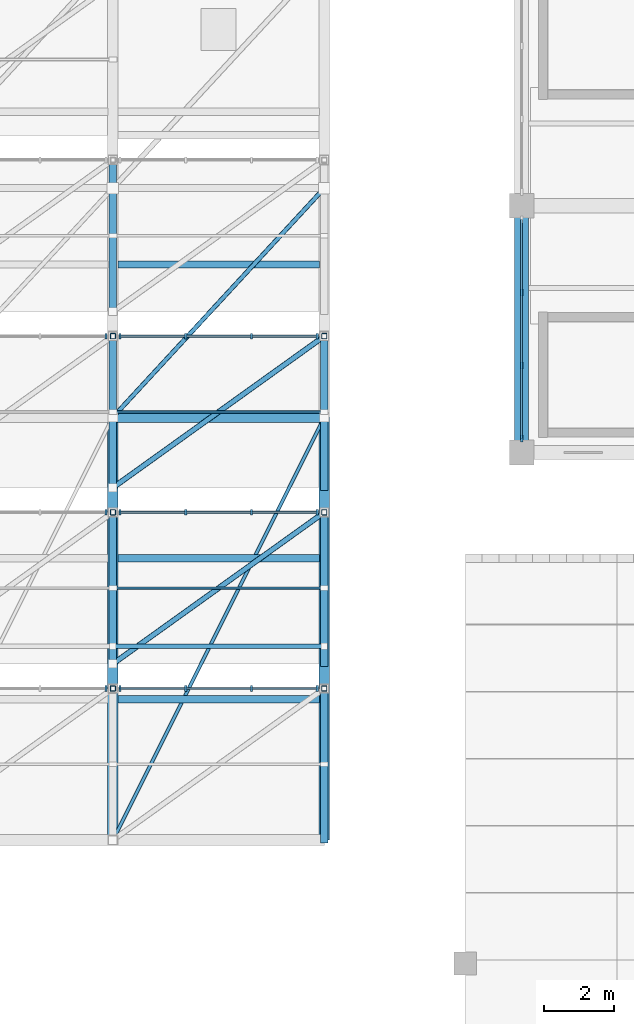
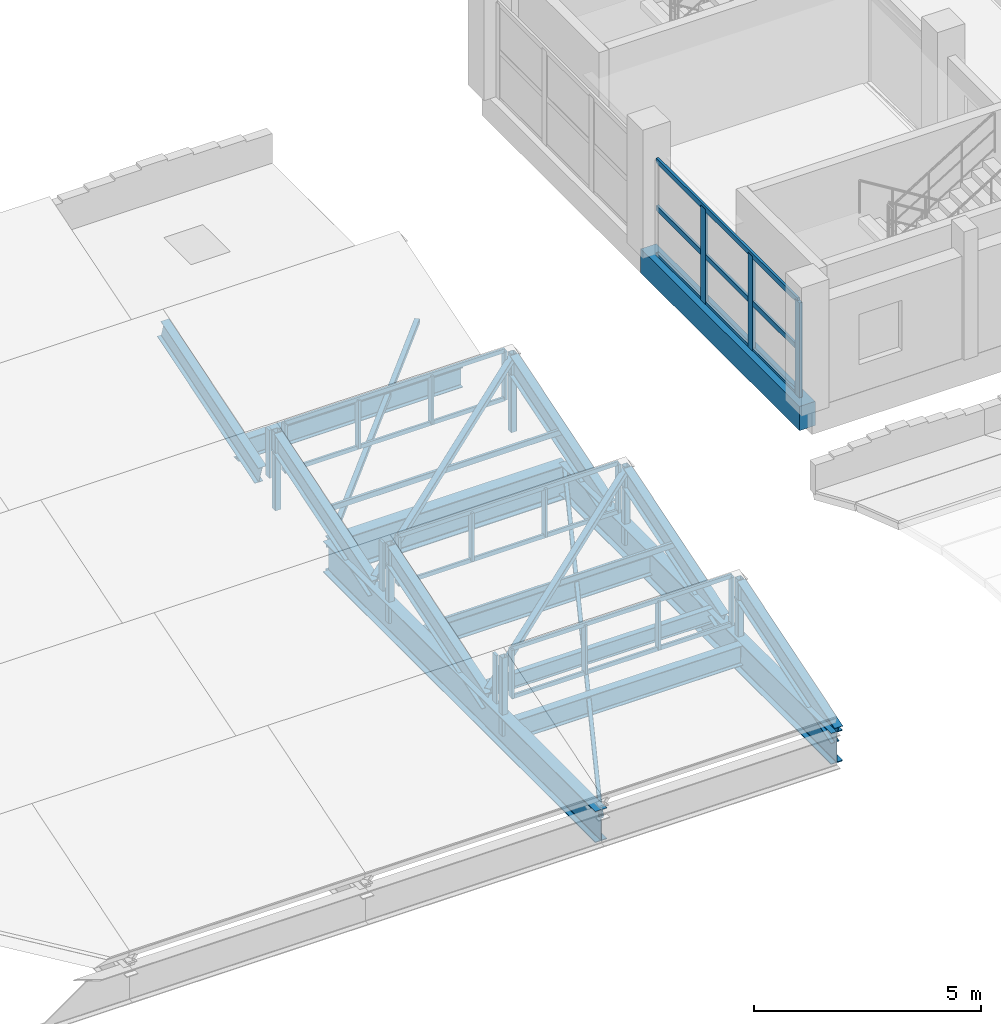
# One storey, part 19 of 48: 40 members, 13 beams, 7 elements without a shape of their own.
"""IFC4 building model written with IfcOpenShell, lengths in metres."""

from ifc_helpers import new_model, si_unit, direction, frame, origin, origin_2d, place, context, subcontext, project, spatial, rectangle, hollow_rectangle, i_section, extrude, material, layer, layer_set, material_profile, profile_set, type_object, element, aggregate, save


model = new_model("IFC4")

# Units and contexts
model_context = context("Model", 3, precision=1e-05, world=origin(), true_north=direction((0.0, 1.0)))
body_context = subcontext(model_context, "Body", "Model", "MODEL_VIEW")
ifc_project = project(units=[si_unit("LENGTHUNIT", "METRE"), si_unit("AREAUNIT", "SQUARE_METRE"), si_unit("VOLUMEUNIT", "CUBIC_METRE"), si_unit("PLANEANGLEUNIT", "RADIAN"), si_unit("MASSUNIT", "GRAM", prefix="KILO")], contexts=[model_context])

# Site, building, storey
site_placement = place(None, origin())
site = spatial("IfcSite", under=ifc_project, at=site_placement, CompositionType="ELEMENT")
building_placement = place(site_placement, origin())
building = spatial("IfcBuilding", under=site, at=building_placement, Name="Trellovar Central Fire Station", CompositionType="ELEMENT")
storey_placement = place(building_placement, frame((0.0, 0.0, 9.300048828125)))
storey = spatial("IfcBuildingStorey", under=building, at=storey_placement, Name="L03", CompositionType="ELEMENT", Elevation=9.300048828125)

# Beams
ifc_material_1 = material(Name="Concrete C40/50", Category="concrete")
ifc_material_profile_1 = material_profile(ifc_material_1, rectangle(XDim=0.39990234375, YDim=0.64990234375, at=origin_2d()), Name="RC400X650")
ifc_profile_set_1 = profile_set([ifc_material_profile_1], Name="Concrete C40/50")
beam_type_1 = type_object("IfcBeamType", Name="BM-G4", PredefinedType="BEAM", material=ifc_profile_set_1)
beam_1_placement = place(storey_placement, frame((141.10009765625, 59.0, -0.324951171875), z_axis=(0.0, 1.0, 0.0), x_axis=(-1.0, 0.0, 0.0)))
element("IfcBeam", 1, at=beam_1_placement, inside=storey, type_object=beam_type_1, Name="L03 beam G-4", PredefinedType="BEAM", context=body_context, shape_type="SweptSolid", body=[
    extrude(rectangle(XDim=0.39990234375, YDim=0.64990234375, at=origin_2d()), origin(), (0.0, 0.0, 1.0), 7.0),
])
ifc_material_2 = material(Name="Steel ASTM A992 Grade 50", Category="steel")
ifc_material_profile_2 = material_profile(ifc_material_2, i_section(OverallWidth=0.3046875, OverallDepth=0.911865234375, WebThickness=0.015869140625, FlangeThickness=0.02392578125, FilletRadius=0.024169921875, at=origin_2d()), Name="W36X150")
ifc_profile_set_2 = profile_set([ifc_material_profile_2], Name="Steel ASTM A992 Grade 50")
beam_type_2 = type_object("IfcBeamType", Name="BM-SW1", PredefinedType="BEAM", material=ifc_profile_set_2)
beam_2_placement = place(storey_placement, frame((129.5, 60.0, -0.635986328125), z_axis=(1.0, 0.0, 0.0), x_axis=(0.0, 1.0, 0.0)))
element("IfcBeam", 2, at=beam_2_placement, inside=storey, type_object=beam_type_2, Name="L03 beam SB-1", PredefinedType="BEAM", context=body_context, shape_type="SweptSolid", body=[
    extrude(i_section(OverallWidth=0.3046875, OverallDepth=0.911865234375, WebThickness=0.015869140625, FlangeThickness=0.02392578125, FilletRadius=0.024169921875, at=origin_2d()), origin(), (0.0, 0.0, 1.0), 6.0),
])
ifc_material_3 = material(Name="Steel ASTM A992 Grade 50", Category="steel")
ifc_material_profile_3 = material_profile(ifc_material_3, i_section(OverallWidth=0.2919921875, OverallDepth=0.8408203125, WebThickness=0.0146484375, FlangeThickness=0.021728515625, FilletRadius=0.020263671875, at=origin_2d()), Name="W33X130")
ifc_profile_set_3 = profile_set([ifc_material_profile_3], Name="Steel ASTM A992 Grade 50")
beam_type_3 = type_object("IfcBeamType", Name="BM-SW2", PredefinedType="BEAM", material=ifc_profile_set_3)
for number, where, z_axis, x_axis, name in (
    (3, (129.5, 48.0, -0.600341796875), (0.0, 1.0, 0.0), (-1.0, 0.0, 0.0), "L03 beam SB-2"),
    (4, (135.5, 48.0, -0.600341796875), (0.0, 1.0, 0.0), (-1.0, 0.0, 0.0), "L03 beam SB-2"),
):
    element("IfcBeam", number, at=place(storey_placement, frame(where, z_axis=z_axis, x_axis=x_axis)), inside=storey, type_object=beam_type_3, Name=name, PredefinedType="BEAM", context=body_context, shape_type="SweptSolid", body=[
        extrude(i_section(OverallWidth=0.2919921875, OverallDepth=0.8408203125, WebThickness=0.0146484375, FlangeThickness=0.021728515625, FilletRadius=0.020263671875, at=origin_2d()), origin(), (0.0, 0.0, 1.0), 12.0),
    ])
ifc_material_4 = material(Name="Steel ASTM A992 Grade 50", Category="steel")
ifc_material_profile_4 = material_profile(ifc_material_4, i_section(OverallWidth=0.209228515625, OverallDepth=0.533447265625, WebThickness=0.01025390625, FlangeThickness=0.015625, FilletRadius=0.013916015625, at=origin_2d()), Name="W21X62")
ifc_profile_set_4 = profile_set([ifc_material_profile_4], Name="Steel ASTM A992 Grade 50")
beam_type_4 = type_object("IfcBeamType", Name="BM-SW7", PredefinedType="BEAM", material=ifc_profile_set_4)
for number, where, z_axis, x_axis, name in (
    (5, (129.64111328125, 52.0, -0.44677734375), (1.0, 0.0, 0.0), (0.0, 1.0, 0.0), "L03 beam SB-7"),
    (6, (129.64111328125, 56.0, -0.44677734375), (1.0, 0.0, 0.0), (0.0, 1.0, 0.0), "L03 beam SB-7"),
    (7, (129.64111328125, 64.333251953125, -0.44677734375), (1.0, 0.0, 0.0), (0.0, 1.0, 0.0), "L03 beam SB-7"),
):
    element("IfcBeam", number, at=place(storey_placement, frame(where, z_axis=z_axis, x_axis=x_axis)), inside=storey, type_object=beam_type_4, Name=name, PredefinedType="BEAM", context=body_context, shape_type="SweptSolid", body=[
        extrude(i_section(OverallWidth=0.209228515625, OverallDepth=0.533447265625, WebThickness=0.01025390625, FlangeThickness=0.015625, FilletRadius=0.013916015625, at=origin_2d()), origin(), (0.0, 0.0, 1.0), 5.7177734375),
    ])
for number, where, z_axis, x_axis, name in (
    (8, (135.5, 48.0, -0.266845703125), (0.0, 0.954079117135, 0.299554733308), (-1.0, 0.0, 0.0), "Sawtooth steel rafter"),
    (9, (129.5, 53.0, -0.266845703125), (0.0, 0.954079117135, 0.299554733308), (-1.0, 0.0, 0.0), "Sawtooth steel rafter"),
    (10, (135.5, 53.0, -0.266845703125), (0.0, 0.954079117135, 0.299554733308), (-1.0, 0.0, 0.0), "Sawtooth steel rafter"),
    (11, (129.5, 58.0, -0.266845703125), (0.0, 0.954079117135, 0.299554733308), (-1.0, 0.0, 0.0), "Sawtooth steel rafter"),
    (12, (135.5, 58.0, -0.266845703125), (0.0, 0.954079117135, 0.299554733308), (-1.0, 0.0, 0.0), "Sawtooth steel rafter"),
    (13, (129.5, 63.0, -0.266845703125), (0.0, 0.954079117135, 0.299554733308), (-1.0, 0.0, 0.0), "Sawtooth steel rafter"),
):
    element("IfcBeam", number, at=place(storey_placement, frame(where, z_axis=z_axis, x_axis=x_axis)), inside=storey, type_object=beam_type_4, Name=name, PredefinedType="BEAM", context=body_context, shape_type="SweptSolid", body=[
        extrude(i_section(OverallWidth=0.209228515625, OverallDepth=0.533447265625, WebThickness=0.01025390625, FlangeThickness=0.015625, FilletRadius=0.013916015625, at=origin_2d()), origin(), (0.0, 0.0, 1.0), 4.507080078125),
    ])

# Curtain wall, members
ifc_material_5 = material(Name="Thermally broken bronze anodized aluminum", Category="aluminium")
ifc_layer_1 = layer(ifc_material_5, 0.159912109375)
ifc_layer_set_1 = layer_set([ifc_layer_1], Name="Thermally broken bronze anodized aluminum")
curtain_wall_type_1 = type_object("IfcCurtainWallType", Name="CW-07", PredefinedType="NOTDEFINED", material=ifc_layer_set_1)
curtain_wall_1_placement = place(storey_placement, origin())
curtain_wall_1 = element("IfcCurtainWall", 14, at=curtain_wall_1_placement, inside=storey, type_object=curtain_wall_type_1, Name="V2 L03 west drill yard curtain wall", PredefinedType="NOTDEFINED")
ifc_material_6 = material(Name="Thermally broken bronze anodized aluminum", Category="aluminium")
ifc_material_profile_5 = material_profile(ifc_material_6, rectangle(XDim=0.074951171875, YDim=0.199951171875, at=origin_2d()), Name="ALU75X200")
ifc_profile_set_5 = profile_set([ifc_material_profile_5], Name="Thermally broken bronze anodized aluminum")
member_type_1 = type_object("IfcMemberType", Name="CWM-1", PredefinedType="MULLION", material=ifc_profile_set_5)
member_1_placement = place(storey_placement, frame((141.10009765625, 59.389892578125, 0.0), z_axis=(0.0, 0.0, 1.0), x_axis=(1.0, 0.0, 0.0)))
member_1 = element("IfcMember", 15, at=member_1_placement, type_object=member_type_1, Name="CW3-L03-0160 mullion 1", PredefinedType="MULLION", context=body_context, shape_type="SweptSolid", body=[
    extrude(rectangle(XDim=0.074951171875, YDim=0.199951171875, at=origin_2d()), origin(), (0.0, 0.0, 1.0), 2.550048828125),
])
member_2_placement = place(storey_placement, frame((141.10009765625, 61.46337890625, 0.0), z_axis=(0.0, 0.0, 1.0), x_axis=(1.0, 0.0, 0.0)))
member_2 = element("IfcMember", 16, at=member_2_placement, type_object=member_type_1, Name="CW3-L03-0160 mullion 2", PredefinedType="MULLION", context=body_context, shape_type="SweptSolid", body=[
    extrude(rectangle(XDim=0.074951171875, YDim=0.199951171875, at=origin_2d()), origin(), (0.0, 0.0, 1.0), 2.550048828125),
])
member_3_placement = place(storey_placement, frame((141.10009765625, 63.53662109375, 0.0), z_axis=(0.0, 0.0, 1.0), x_axis=(1.0, 0.0, 0.0)))
member_3 = element("IfcMember", 17, at=member_3_placement, type_object=member_type_1, Name="CW3-L03-0160 mullion 3", PredefinedType="MULLION", context=body_context, shape_type="SweptSolid", body=[
    extrude(rectangle(XDim=0.074951171875, YDim=0.199951171875, at=origin_2d()), origin(), (0.0, 0.0, 1.0), 2.550048828125),
])

# Curtain wall, member
ifc_material_7 = material(Name="Thermally broken bronze anodized aluminum", Category="aluminium")
ifc_layer_2 = layer(ifc_material_7, 0.159912109375)
ifc_layer_set_2 = layer_set([ifc_layer_2], Name="Thermally broken bronze anodized aluminum")
curtain_wall_type_2 = type_object("IfcCurtainWallType", Name="CW-06", PredefinedType="NOTDEFINED", material=ifc_layer_set_2)
curtain_wall_2_placement = place(storey_placement, origin())
curtain_wall_2 = element("IfcCurtainWall", 18, at=curtain_wall_2_placement, inside=storey, type_object=curtain_wall_type_2, Name="V6 sawtooth north-light monitor 1-4", PredefinedType="NOTDEFINED")
ifc_material_8 = material(Name="Thermally broken bronze anodized aluminum", Category="aluminium")
ifc_material_profile_6 = material_profile(ifc_material_8, rectangle(XDim=0.06005859375, YDim=0.159912109375, at=origin_2d()), Name="ALU60X160")
ifc_profile_set_6 = profile_set([ifc_material_profile_6], Name="Thermally broken bronze anodized aluminum")
member_type_2 = type_object("IfcMemberType", Name="CWM-3", PredefinedType="MULLION", material=ifc_profile_set_6)
member_4_placement = place(storey_placement, frame((129.300048828125, 52.300048828125, 0.179931640625), z_axis=(0.0, 0.0, 1.0), x_axis=(1.0, 0.0, 0.0)))
member_4 = element("IfcMember", 19, at=member_4_placement, type_object=member_type_2, Name="CW3-L03-0131 mullion 1", PredefinedType="MULLION", context=body_context, shape_type="SweptSolid", body=[
    extrude(rectangle(XDim=0.06005859375, YDim=0.159912109375, at=origin_2d()), origin(), (0.0, 0.0, 1.0), 1.300048828125),
])
aggregate(curtain_wall_2, [member_4])

curtain_wall_3_placement = place(storey_placement, origin())
curtain_wall_3 = element("IfcCurtainWall", 20, at=curtain_wall_3_placement, inside=storey, type_object=curtain_wall_type_2, Name="V6 sawtooth north-light monitor 2-4", PredefinedType="NOTDEFINED")
member_5_placement = place(storey_placement, frame((129.300048828125, 57.300048828125, 0.179931640625), z_axis=(0.0, 0.0, 1.0), x_axis=(1.0, 0.0, 0.0)))
member_5 = element("IfcMember", 21, at=member_5_placement, type_object=member_type_2, Name="CW3-L03-0132 mullion 1", PredefinedType="MULLION", context=body_context, shape_type="SweptSolid", body=[
    extrude(rectangle(XDim=0.06005859375, YDim=0.159912109375, at=origin_2d()), origin(), (0.0, 0.0, 1.0), 1.300048828125),
])
aggregate(curtain_wall_3, [member_5])

curtain_wall_4_placement = place(storey_placement, origin())
curtain_wall_4 = element("IfcCurtainWall", 22, at=curtain_wall_4_placement, inside=storey, type_object=curtain_wall_type_2, Name="V6 sawtooth north-light monitor 3-4", PredefinedType="NOTDEFINED")
member_6_placement = place(storey_placement, frame((129.300048828125, 62.300048828125, 0.179931640625), z_axis=(0.0, 0.0, 1.0), x_axis=(1.0, 0.0, 0.0)))
member_6 = element("IfcMember", 23, at=member_6_placement, type_object=member_type_2, Name="CW3-L03-0133 mullion 1", PredefinedType="MULLION", context=body_context, shape_type="SweptSolid", body=[
    extrude(rectangle(XDim=0.06005859375, YDim=0.159912109375, at=origin_2d()), origin(), (0.0, 0.0, 1.0), 1.300048828125),
])
aggregate(curtain_wall_4, [member_6])

# Curtain wall, members
curtain_wall_5_placement = place(storey_placement, origin())
curtain_wall_5 = element("IfcCurtainWall", 24, at=curtain_wall_5_placement, inside=storey, type_object=curtain_wall_type_2, Name="V6 sawtooth north-light monitor 1-5", PredefinedType="NOTDEFINED")
member_7_placement = place(storey_placement, frame((135.300048828125, 52.300048828125, 0.179931640625), z_axis=(0.0, 0.0, 1.0), x_axis=(1.0, 0.0, 0.0)))
member_7 = element("IfcMember", 25, at=member_7_placement, type_object=member_type_2, Name="CW3-L03-0139 mullion 1", PredefinedType="MULLION", context=body_context, shape_type="SweptSolid", body=[
    extrude(rectangle(XDim=0.06005859375, YDim=0.159912109375, at=origin_2d()), origin(), (0.0, 0.0, 1.0), 1.300048828125),
])
member_8_placement = place(storey_placement, frame((133.433349609375, 52.300048828125, 0.179931640625), z_axis=(0.0, 0.0, 1.0), x_axis=(1.0, 0.0, 0.0)))
member_8 = element("IfcMember", 26, at=member_8_placement, type_object=member_type_2, Name="CW3-L03-0139 mullion 2", PredefinedType="MULLION", context=body_context, shape_type="SweptSolid", body=[
    extrude(rectangle(XDim=0.06005859375, YDim=0.159912109375, at=origin_2d()), origin(), (0.0, 0.0, 1.0), 1.300048828125),
])
member_9_placement = place(storey_placement, frame((131.566650390625, 52.300048828125, 0.179931640625), z_axis=(0.0, 0.0, 1.0), x_axis=(1.0, 0.0, 0.0)))
member_9 = element("IfcMember", 27, at=member_9_placement, type_object=member_type_2, Name="CW3-L03-0139 mullion 3", PredefinedType="MULLION", context=body_context, shape_type="SweptSolid", body=[
    extrude(rectangle(XDim=0.06005859375, YDim=0.159912109375, at=origin_2d()), origin(), (0.0, 0.0, 1.0), 1.300048828125),
])
member_10_placement = place(storey_placement, frame((129.699951171875, 52.300048828125, 0.179931640625), z_axis=(0.0, 0.0, 1.0), x_axis=(1.0, 0.0, 0.0)))
member_10 = element("IfcMember", 28, at=member_10_placement, type_object=member_type_2, Name="CW3-L03-0139 mullion 4", PredefinedType="MULLION", context=body_context, shape_type="SweptSolid", body=[
    extrude(rectangle(XDim=0.06005859375, YDim=0.159912109375, at=origin_2d()), origin(), (0.0, 0.0, 1.0), 1.300048828125),
])

curtain_wall_6_placement = place(storey_placement, origin())
curtain_wall_6 = element("IfcCurtainWall", 29, at=curtain_wall_6_placement, inside=storey, type_object=curtain_wall_type_2, Name="V6 sawtooth north-light monitor 2-5", PredefinedType="NOTDEFINED")
member_11_placement = place(storey_placement, frame((135.300048828125, 57.300048828125, 0.179931640625), z_axis=(0.0, 0.0, 1.0), x_axis=(1.0, 0.0, 0.0)))
member_11 = element("IfcMember", 30, at=member_11_placement, type_object=member_type_2, Name="CW3-L03-0140 mullion 1", PredefinedType="MULLION", context=body_context, shape_type="SweptSolid", body=[
    extrude(rectangle(XDim=0.06005859375, YDim=0.159912109375, at=origin_2d()), origin(), (0.0, 0.0, 1.0), 1.300048828125),
])
member_12_placement = place(storey_placement, frame((133.433349609375, 57.300048828125, 0.179931640625), z_axis=(0.0, 0.0, 1.0), x_axis=(1.0, 0.0, 0.0)))
member_12 = element("IfcMember", 31, at=member_12_placement, type_object=member_type_2, Name="CW3-L03-0140 mullion 2", PredefinedType="MULLION", context=body_context, shape_type="SweptSolid", body=[
    extrude(rectangle(XDim=0.06005859375, YDim=0.159912109375, at=origin_2d()), origin(), (0.0, 0.0, 1.0), 1.300048828125),
])
member_13_placement = place(storey_placement, frame((131.566650390625, 57.300048828125, 0.179931640625), z_axis=(0.0, 0.0, 1.0), x_axis=(1.0, 0.0, 0.0)))
member_13 = element("IfcMember", 32, at=member_13_placement, type_object=member_type_2, Name="CW3-L03-0140 mullion 3", PredefinedType="MULLION", context=body_context, shape_type="SweptSolid", body=[
    extrude(rectangle(XDim=0.06005859375, YDim=0.159912109375, at=origin_2d()), origin(), (0.0, 0.0, 1.0), 1.300048828125),
])
member_14_placement = place(storey_placement, frame((129.699951171875, 57.300048828125, 0.179931640625), z_axis=(0.0, 0.0, 1.0), x_axis=(1.0, 0.0, 0.0)))
member_14 = element("IfcMember", 33, at=member_14_placement, type_object=member_type_2, Name="CW3-L03-0140 mullion 4", PredefinedType="MULLION", context=body_context, shape_type="SweptSolid", body=[
    extrude(rectangle(XDim=0.06005859375, YDim=0.159912109375, at=origin_2d()), origin(), (0.0, 0.0, 1.0), 1.300048828125),
])

curtain_wall_7_placement = place(storey_placement, origin())
curtain_wall_7 = element("IfcCurtainWall", 34, at=curtain_wall_7_placement, inside=storey, type_object=curtain_wall_type_2, Name="V6 sawtooth north-light monitor 3-5", PredefinedType="NOTDEFINED")
member_15_placement = place(storey_placement, frame((135.300048828125, 62.300048828125, 0.179931640625), z_axis=(0.0, 0.0, 1.0), x_axis=(1.0, 0.0, 0.0)))
member_15 = element("IfcMember", 35, at=member_15_placement, type_object=member_type_2, Name="CW3-L03-0141 mullion 1", PredefinedType="MULLION", context=body_context, shape_type="SweptSolid", body=[
    extrude(rectangle(XDim=0.06005859375, YDim=0.159912109375, at=origin_2d()), origin(), (0.0, 0.0, 1.0), 1.300048828125),
])
member_16_placement = place(storey_placement, frame((133.433349609375, 62.300048828125, 0.179931640625), z_axis=(0.0, 0.0, 1.0), x_axis=(1.0, 0.0, 0.0)))
member_16 = element("IfcMember", 36, at=member_16_placement, type_object=member_type_2, Name="CW3-L03-0141 mullion 2", PredefinedType="MULLION", context=body_context, shape_type="SweptSolid", body=[
    extrude(rectangle(XDim=0.06005859375, YDim=0.159912109375, at=origin_2d()), origin(), (0.0, 0.0, 1.0), 1.300048828125),
])
member_17_placement = place(storey_placement, frame((131.566650390625, 62.300048828125, 0.179931640625), z_axis=(0.0, 0.0, 1.0), x_axis=(1.0, 0.0, 0.0)))
member_17 = element("IfcMember", 37, at=member_17_placement, type_object=member_type_2, Name="CW3-L03-0141 mullion 3", PredefinedType="MULLION", context=body_context, shape_type="SweptSolid", body=[
    extrude(rectangle(XDim=0.06005859375, YDim=0.159912109375, at=origin_2d()), origin(), (0.0, 0.0, 1.0), 1.300048828125),
])
member_18_placement = place(storey_placement, frame((129.699951171875, 62.300048828125, 0.179931640625), z_axis=(0.0, 0.0, 1.0), x_axis=(1.0, 0.0, 0.0)))
member_18 = element("IfcMember", 38, at=member_18_placement, type_object=member_type_2, Name="CW3-L03-0141 mullion 4", PredefinedType="MULLION", context=body_context, shape_type="SweptSolid", body=[
    extrude(rectangle(XDim=0.06005859375, YDim=0.159912109375, at=origin_2d()), origin(), (0.0, 0.0, 1.0), 1.300048828125),
])

# Member
ifc_material_9 = material(Name="Thermally broken bronze anodized aluminum", Category="aluminium")
ifc_material_profile_7 = material_profile(ifc_material_9, rectangle(XDim=0.06005859375, YDim=0.139892578125, at=origin_2d()), Name="ALU60X140")
ifc_profile_set_7 = profile_set([ifc_material_profile_7], Name="Thermally broken bronze anodized aluminum")
member_type_3 = type_object("IfcMemberType", Name="CWT-1", PredefinedType="USERDEFINED", material=ifc_profile_set_7)
member_19_placement = place(storey_placement, frame((141.10009765625, 59.389892578125, 0.0), z_axis=(0.0, 1.0, 0.0), x_axis=(-1.0, 0.0, 0.0)))
member_19 = element("IfcMember", 39, at=member_19_placement, type_object=member_type_3, Name="CW3-L03-0160 transom 1", ObjectType="TRANSOM", PredefinedType="USERDEFINED", context=body_context, shape_type="SweptSolid", body=[
    extrude(rectangle(XDim=0.06005859375, YDim=0.139892578125, at=origin_2d()), origin(), (0.0, 0.0, 1.0), 6.22021484375),
])

member_20_placement = place(storey_placement, frame((141.10009765625, 59.389892578125, 1.27490234375), z_axis=(0.0, 1.0, 0.0), x_axis=(-1.0, 0.0, 0.0)))
member_20 = element("IfcMember", 40, at=member_20_placement, type_object=member_type_3, Name="CW3-L03-0160 transom 2", ObjectType="TRANSOM", PredefinedType="USERDEFINED", context=body_context, shape_type="SweptSolid", body=[
    extrude(rectangle(XDim=0.06005859375, YDim=0.139892578125, at=origin_2d()), origin(), (0.0, 0.0, 1.0), 6.22021484375),
])

member_21_placement = place(storey_placement, frame((141.10009765625, 59.389892578125, 2.550048828125), z_axis=(0.0, 1.0, 0.0), x_axis=(-1.0, 0.0, 0.0)))
member_21 = element("IfcMember", 41, at=member_21_placement, type_object=member_type_3, Name="CW3-L03-0160 transom 3", ObjectType="TRANSOM", PredefinedType="USERDEFINED", context=body_context, shape_type="SweptSolid", body=[
    extrude(rectangle(XDim=0.06005859375, YDim=0.139892578125, at=origin_2d()), origin(), (0.0, 0.0, 1.0), 6.22021484375),
])

aggregate(curtain_wall_1, [member_1, member_2, member_3, member_19, member_20, member_21])

ifc_material_10 = material(Name="Thermally broken bronze anodized aluminum", Category="aluminium")
ifc_material_profile_8 = material_profile(ifc_material_10, rectangle(XDim=0.054931640625, YDim=0.110107421875, at=origin_2d()), Name="ALU55X110")
ifc_profile_set_8 = profile_set([ifc_material_profile_8], Name="Thermally broken bronze anodized aluminum")
member_type_4 = type_object("IfcMemberType", Name="CWT-3", PredefinedType="USERDEFINED", material=ifc_profile_set_8)
member_22_placement = place(storey_placement, frame((135.300048828125, 52.300048828125, 0.179931640625), z_axis=(-1.0, 0.0, 0.0), x_axis=(0.0, -1.0, 0.0)))
member_22 = element("IfcMember", 42, at=member_22_placement, type_object=member_type_4, Name="CW3-L03-0139 transom 1", ObjectType="TRANSOM", PredefinedType="USERDEFINED", context=body_context, shape_type="SweptSolid", body=[
    extrude(rectangle(XDim=0.054931640625, YDim=0.110107421875, at=origin_2d()), origin(), (0.0, 0.0, 1.0), 5.60009765625),
])

member_23_placement = place(storey_placement, frame((135.300048828125, 52.300048828125, 1.47998046875), z_axis=(-1.0, 0.0, 0.0), x_axis=(0.0, -1.0, 0.0)))
member_23 = element("IfcMember", 43, at=member_23_placement, type_object=member_type_4, Name="CW3-L03-0139 transom 2", ObjectType="TRANSOM", PredefinedType="USERDEFINED", context=body_context, shape_type="SweptSolid", body=[
    extrude(rectangle(XDim=0.054931640625, YDim=0.110107421875, at=origin_2d()), origin(), (0.0, 0.0, 1.0), 5.60009765625),
])

aggregate(curtain_wall_5, [member_7, member_8, member_9, member_10, member_22, member_23])

member_24_placement = place(storey_placement, frame((135.300048828125, 57.300048828125, 0.179931640625), z_axis=(-1.0, 0.0, 0.0), x_axis=(0.0, -1.0, 0.0)))
member_24 = element("IfcMember", 44, at=member_24_placement, type_object=member_type_4, Name="CW3-L03-0140 transom 1", ObjectType="TRANSOM", PredefinedType="USERDEFINED", context=body_context, shape_type="SweptSolid", body=[
    extrude(rectangle(XDim=0.054931640625, YDim=0.110107421875, at=origin_2d()), origin(), (0.0, 0.0, 1.0), 5.60009765625),
])

member_25_placement = place(storey_placement, frame((135.300048828125, 57.300048828125, 1.47998046875), z_axis=(-1.0, 0.0, 0.0), x_axis=(0.0, -1.0, 0.0)))
member_25 = element("IfcMember", 45, at=member_25_placement, type_object=member_type_4, Name="CW3-L03-0140 transom 2", ObjectType="TRANSOM", PredefinedType="USERDEFINED", context=body_context, shape_type="SweptSolid", body=[
    extrude(rectangle(XDim=0.054931640625, YDim=0.110107421875, at=origin_2d()), origin(), (0.0, 0.0, 1.0), 5.60009765625),
])

aggregate(curtain_wall_6, [member_11, member_12, member_13, member_14, member_24, member_25])

member_26_placement = place(storey_placement, frame((135.300048828125, 62.300048828125, 0.179931640625), z_axis=(-1.0, 0.0, 0.0), x_axis=(0.0, -1.0, 0.0)))
member_26 = element("IfcMember", 46, at=member_26_placement, type_object=member_type_4, Name="CW3-L03-0141 transom 1", ObjectType="TRANSOM", PredefinedType="USERDEFINED", context=body_context, shape_type="SweptSolid", body=[
    extrude(rectangle(XDim=0.054931640625, YDim=0.110107421875, at=origin_2d()), origin(), (0.0, 0.0, 1.0), 5.60009765625),
])

member_27_placement = place(storey_placement, frame((135.300048828125, 62.300048828125, 1.47998046875), z_axis=(-1.0, 0.0, 0.0), x_axis=(0.0, -1.0, 0.0)))
member_27 = element("IfcMember", 47, at=member_27_placement, type_object=member_type_4, Name="CW3-L03-0141 transom 2", ObjectType="TRANSOM", PredefinedType="USERDEFINED", context=body_context, shape_type="SweptSolid", body=[
    extrude(rectangle(XDim=0.054931640625, YDim=0.110107421875, at=origin_2d()), origin(), (0.0, 0.0, 1.0), 5.60009765625),
])

aggregate(curtain_wall_7, [member_15, member_16, member_17, member_18, member_26, member_27])

# Members
ifc_material_11 = material(Name="Steel ASTM A500 Grade C", Category="steel")
ifc_material_profile_9 = material_profile(ifc_material_11, hollow_rectangle(XDim=0.15234375, YDim=0.15234375, WallThickness=0.005859375, InnerFilletRadius=0.005859375, OuterFilletRadius=0.01171875, at=origin_2d()), Name="HSS6X6X1/4")
ifc_profile_set_9 = profile_set([ifc_material_profile_9], Name="Steel ASTM A500 Grade C")
member_type_5 = type_object("IfcMemberType", Name="MEM-BR1", PredefinedType="BRACE", material=ifc_profile_set_9)
for number, where, z_axis, x_axis, name in (
    (48, (129.5, 53.0, -0.02001953125), (0.801405151762, 0.574346880614, 0.166959406617), (-0.582523311563, 0.812813995626, 0.0), "Sawtooth roof plane diagonal brace"),
    (49, (129.5, 58.0, -0.02001953125), (0.801405151762, 0.574346880614, 0.166959406617), (-0.582523311563, 0.812813995626, 0.0), "Sawtooth roof plane diagonal brace"),
):
    element("IfcMember", number, at=place(storey_placement, frame(where, z_axis=z_axis, x_axis=x_axis)), inside=storey, type_object=member_type_5, Name=name, PredefinedType="BRACE", context=body_context, shape_type="SweptSolid", body=[
        extrude(hollow_rectangle(XDim=0.15234375, YDim=0.15234375, WallThickness=0.005859375, InnerFilletRadius=0.005859375, OuterFilletRadius=0.01171875, at=origin_2d()), origin(), (0.0, 0.0, 1.0), 7.48681640625),
    ])
ifc_material_12 = material(Name="Steel ASTM A500 Grade C", Category="steel")
ifc_material_profile_10 = material_profile(ifc_material_12, hollow_rectangle(XDim=0.126953125, YDim=0.126953125, WallThickness=0.005859375, InnerFilletRadius=0.005859375, OuterFilletRadius=0.01171875, at=origin_2d()), Name="HSS5X5X1/4")
ifc_profile_set_10 = profile_set([ifc_material_profile_10], Name="Steel ASTM A500 Grade C")
member_type_6 = type_object("IfcMemberType", Name="MEM-BR2", PredefinedType="BRACE", material=ifc_profile_set_10)
member_28_placement = place(storey_placement, frame((129.5, 60.0, -0.35009765625), z_axis=(0.678280102733, 0.734803444627, 0.0), x_axis=(-0.734803444627, 0.678280102733, 0.0)))
element("IfcMember", 50, at=member_28_placement, inside=storey, type_object=member_type_6, Name="V6 roof diaphragm brace", PredefinedType="BRACE", context=body_context, shape_type="SweptSolid", body=[
    extrude(hollow_rectangle(XDim=0.126953125, YDim=0.126953125, WallThickness=0.005859375, InnerFilletRadius=0.005859375, OuterFilletRadius=0.01171875, at=origin_2d()), origin(), (0.0, 0.0, 1.0), 8.845947265625),
])
ifc_material_13 = material(Name="Steel ASTM A500 Grade C", Category="steel")
ifc_material_profile_11 = material_profile(ifc_material_13, hollow_rectangle(XDim=0.1015625, YDim=0.1015625, WallThickness=0.005859375, InnerFilletRadius=0.005859375, OuterFilletRadius=0.01171875, at=origin_2d()), Name="HSS4X4X1/4")
ifc_profile_set_11 = profile_set([ifc_material_profile_11], Name="Steel ASTM A500 Grade C")
member_type_7 = type_object("IfcMemberType", Name="MEM-BR3", PredefinedType="BRACE", material=ifc_profile_set_11)
member_29_placement = place(storey_placement, frame((129.5, 48.0, -0.35009765625), z_axis=(0.4472135955, 0.894427191, 0.0), x_axis=(-0.894427191, 0.4472135955, 0.0)))
element("IfcMember", 51, at=member_29_placement, inside=storey, type_object=member_type_7, Name="V6 high-bay tie strut", PredefinedType="BRACE", context=body_context, shape_type="SweptSolid", body=[
    extrude(hollow_rectangle(XDim=0.1015625, YDim=0.1015625, WallThickness=0.005859375, InnerFilletRadius=0.005859375, OuterFilletRadius=0.01171875, at=origin_2d()), origin(), (0.0, 0.0, 1.0), 13.41650390625),
])
ifc_material_14 = material(Name="Steel ASTM A500 Grade C", Category="steel")
ifc_material_profile_12 = material_profile(ifc_material_14, hollow_rectangle(XDim=0.076171875, YDim=0.15234375, WallThickness=0.005859375, InnerFilletRadius=0.005859375, OuterFilletRadius=0.01171875, at=origin_2d()), Name="HSS6X3X1/4")
ifc_profile_set_12 = profile_set([ifc_material_profile_12], Name="Steel ASTM A500 Grade C")
member_type_8 = type_object("IfcMemberType", Name="MEM-PU2", PredefinedType="PURLIN", material=ifc_profile_set_12)
for number, where, z_axis, x_axis, name in (
    (52, (129.5, 55.14990234375, 0.530029296875), (1.0, 0.0, 0.0), (0.0, 1.0, 0.0), "Sawtooth steel purlin"),
    (53, (129.5, 60.14990234375, 0.530029296875), (1.0, 0.0, 0.0), (0.0, 1.0, 0.0), "Sawtooth steel purlin"),
):
    element("IfcMember", number, at=place(storey_placement, frame(where, z_axis=z_axis, x_axis=x_axis)), inside=storey, type_object=member_type_8, Name=name, PredefinedType="PURLIN", context=body_context, shape_type="SweptSolid", body=[
        extrude(hollow_rectangle(XDim=0.076171875, YDim=0.15234375, WallThickness=0.005859375, InnerFilletRadius=0.005859375, OuterFilletRadius=0.01171875, at=origin_2d()), origin(), (0.0, 0.0, 1.0), 6.0),
    ])
ifc_material_15 = material(Name="Steel ASTM A992 Grade 50", Category="steel")
ifc_material_profile_13 = material_profile(ifc_material_15, i_section(OverallWidth=0.140380859375, OverallDepth=0.4033203125, WebThickness=0.007080078125, FlangeThickness=0.01123046875, FilletRadius=0.011474609375, at=origin_2d()), Name="W16X31")
ifc_profile_set_13 = profile_set([ifc_material_profile_13], Name="Steel ASTM A992 Grade 50")
member_type_9 = type_object("IfcMemberType", Name="MEM-PU3", PredefinedType="PURLIN", material=ifc_profile_set_13)
member_30_placement = place(storey_placement, frame((129.5, 53.5, -0.35009765625), z_axis=(1.0, 0.0, 0.0), x_axis=(0.0, 1.0, 0.0)))
element("IfcMember", 54, at=member_30_placement, inside=storey, type_object=member_type_9, Name="V6 high-bay W16X31 purlin", PredefinedType="PURLIN", context=body_context, shape_type="SweptSolid", body=[
    extrude(i_section(OverallWidth=0.140380859375, OverallDepth=0.4033203125, WebThickness=0.007080078125, FlangeThickness=0.01123046875, FilletRadius=0.011474609375, at=origin_2d()), origin(), (0.0, 0.0, 1.0), 6.0),
])
ifc_material_16 = material(Name="Steel ASTM A500 Grade C", Category="steel")
ifc_material_profile_14 = material_profile(ifc_material_16, hollow_rectangle(XDim=0.15234375, YDim=0.15234375, WallThickness=0.0087890625, InnerFilletRadius=0.0087890625, OuterFilletRadius=0.017822265625, at=origin_2d()), Name="HSS6X6X3/8")
ifc_profile_set_14 = profile_set([ifc_material_profile_14], Name="Steel ASTM A500 Grade C")
member_type_10 = type_object("IfcMemberType", Name="MEM-ST1", PredefinedType="STRUT", material=ifc_profile_set_14)
for number, where, z_axis, x_axis, name in (
    (55, (129.5, 52.300048828125, -0.75), (0.0, 0.0, 1.0), (1.0, 0.0, 0.0), "Sawtooth monitor vertical post"),
    (56, (135.5, 52.300048828125, -0.75), (0.0, 0.0, 1.0), (1.0, 0.0, 0.0), "Sawtooth monitor vertical post"),
    (57, (129.5, 57.300048828125, -0.75), (0.0, 0.0, 1.0), (1.0, 0.0, 0.0), "Sawtooth monitor vertical post"),
    (58, (135.5, 57.300048828125, -0.75), (0.0, 0.0, 1.0), (1.0, 0.0, 0.0), "Sawtooth monitor vertical post"),
    (59, (129.5, 62.300048828125, -0.75), (0.0, 0.0, 1.0), (1.0, 0.0, 0.0), "Sawtooth monitor vertical post"),
    (60, (135.5, 62.300048828125, -0.75), (0.0, 0.0, 1.0), (1.0, 0.0, 0.0), "Sawtooth monitor vertical post"),
):
    element("IfcMember", number, at=place(storey_placement, frame(where, z_axis=z_axis, x_axis=x_axis)), inside=storey, type_object=member_type_10, Name=name, PredefinedType="STRUT", context=body_context, shape_type="SweptSolid", body=[
        extrude(hollow_rectangle(XDim=0.15234375, YDim=0.15234375, WallThickness=0.0087890625, InnerFilletRadius=0.0087890625, OuterFilletRadius=0.017822265625, at=origin_2d()), origin(), (0.0, 0.0, 1.0), 2.099853515625),
    ])

save(model, "model.ifc")
